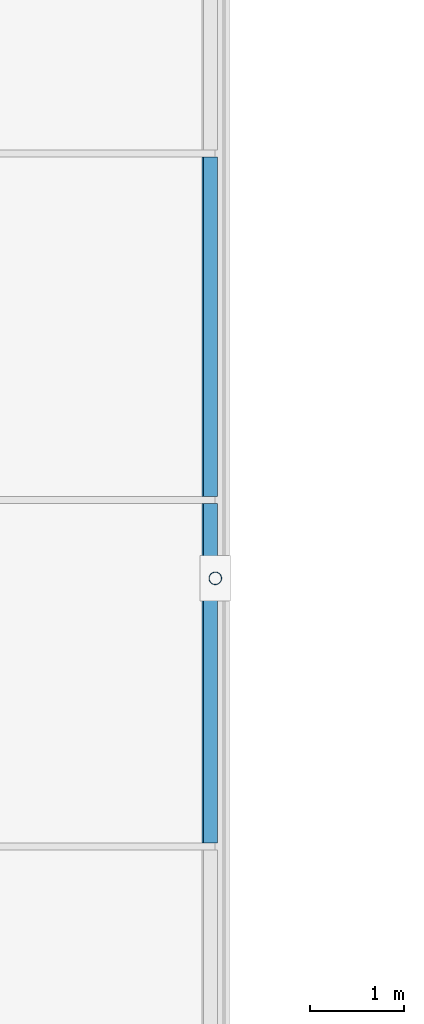
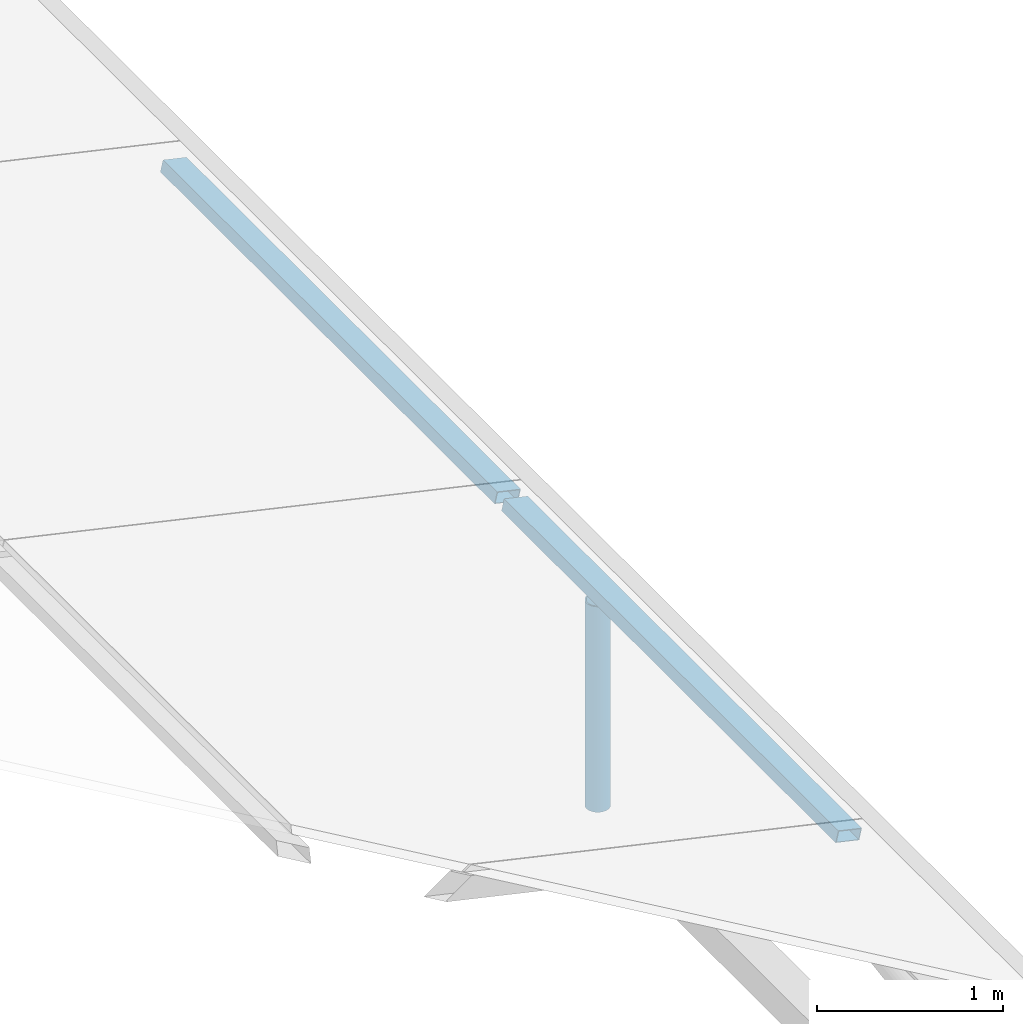
# One storey, part 86 of 130: 3 members, 1 element without a shape of its own.
"""IFC4 building model written with IfcOpenShell, lengths in metres."""

from ifc_helpers import new_model, si_unit, direction, frame, origin, origin_2d, place, context, subcontext, project, spatial, hollow_rectangle, hollow_circle, extrude, material, material_profile, profile_set, type_object, element, aggregate, save


model = new_model("IFC4")

# Units and contexts
model_context = context("Model", 3, precision=1e-05, world=origin(), true_north=direction((0.0, 1.0)))
body_context = subcontext(model_context, "Body", "Model", "MODEL_VIEW")
ifc_project = project(units=[si_unit("LENGTHUNIT", "METRE"), si_unit("AREAUNIT", "SQUARE_METRE"), si_unit("VOLUMEUNIT", "CUBIC_METRE"), si_unit("PLANEANGLEUNIT", "RADIAN"), si_unit("MASSUNIT", "GRAM", prefix="KILO")], contexts=[model_context])

# Site, building, storey
site_placement = place(None, origin())
site = spatial("IfcSite", under=ifc_project, at=site_placement, CompositionType="ELEMENT")
building_placement = place(site_placement, origin())
building = spatial("IfcBuilding", under=site, at=building_placement, Name="Lykobir Media Centre", CompositionType="ELEMENT")
storey_placement = place(building_placement, frame((0.0, 0.0, 19.199951171875)))
storey = spatial("IfcBuildingStorey", under=building, at=storey_placement, Name="L04", CompositionType="ELEMENT", Elevation=19.199951171875)

# Member
ifc_material_1 = material(Name="Steel S355", Category="steel")
ifc_material_profile_1 = material_profile(ifc_material_1, hollow_circle(Radius=0.06982421875, WallThickness=0.008056640625, at=origin_2d()), Name="CHS 139.7x8.0")
ifc_profile_set_1 = profile_set([ifc_material_profile_1], Name="Steel S355")
member_type_1 = type_object("IfcMemberType", Name="BR-CHS140-E", PredefinedType="BRACE", material=ifc_profile_set_1)
member_1_placement = place(storey_placement, frame((81.0, 81.0, 0.739990234375), z_axis=(0.0, 0.0, -1.0), x_axis=(1.0, 0.0, 0.0)))
element("IfcMember", 1, at=member_1_placement, inside=storey, type_object=member_type_1, Name="Diagonal brace MEM2-L04-0810-0810-0199-0810-0810-0502", PredefinedType="BRACE", context=body_context, shape_type="SweptSolid", body=[
    extrude(hollow_circle(Radius=0.06982421875, WallThickness=0.008056640625, at=origin_2d()), origin(), (0.0, 0.0, 1.0), 1.349853515625),
])

# Curtain wall, members
ifc_material_2 = material(Name="Anodized Aluminium AW-6060", Category="aluminium")
curtain_wall_type = type_object("IfcCurtainWallType", Name="CW-V6-SKY", PredefinedType="NOTDEFINED", material=ifc_material_2)
curtain_wall_placement = place(storey_placement, origin())
curtain_wall = element("IfcCurtainWall", 2, at=curtain_wall_placement, inside=storey, type_object=curtain_wall_type, Name="Curtain wall CW-V6-SKY01", PredefinedType="NOTDEFINED")
ifc_material_profile_2 = material_profile(ifc_material_2, hollow_rectangle(XDim=0.074951171875, YDim=0.14990234375, WallThickness=0.00341796875, at=origin_2d()), Name="ALU TRANSOM 75x150")
ifc_profile_set_2 = profile_set([ifc_material_profile_2], Name="Anodized Aluminium AW-6060")
member_type_2 = type_object("IfcMemberType", Name="CWT-150", PredefinedType="USERDEFINED", material=ifc_profile_set_2)
member_2_placement = place(storey_placement, frame((80.941162109375, 85.46240234375, 0.909912109375), z_axis=(0.0, -1.0, 0.0), x_axis=(0.221054901821, 0.0, 0.975261365164)))
member_2 = element("IfcMember", 3, at=member_2_placement, type_object=member_type_2, Name="CW-V6-SKY01 transom 7.1", ObjectType="TRANSOM", PredefinedType="USERDEFINED", context=body_context, shape_type="SweptSolid", body=[
    extrude(hollow_rectangle(XDim=0.074951171875, YDim=0.14990234375, WallThickness=0.00341796875, at=origin_2d()), origin(), (0.0, 0.0, 1.0), 3.594970703125),
])
member_3_placement = place(storey_placement, frame((80.941162109375, 81.79248046875, 0.909912109375), z_axis=(0.0, -1.0, 0.0), x_axis=(0.221054901821, 0.0, 0.975261365164)))
member_3 = element("IfcMember", 4, at=member_3_placement, type_object=member_type_2, Name="CW-V6-SKY01 transom 8.1", ObjectType="TRANSOM", PredefinedType="USERDEFINED", context=body_context, shape_type="SweptSolid", body=[
    extrude(hollow_rectangle(XDim=0.074951171875, YDim=0.14990234375, WallThickness=0.00341796875, at=origin_2d()), origin(), (0.0, 0.0, 1.0), 3.594970703125),
])
aggregate(curtain_wall, [member_2, member_3])

save(model, "model.ifc")
